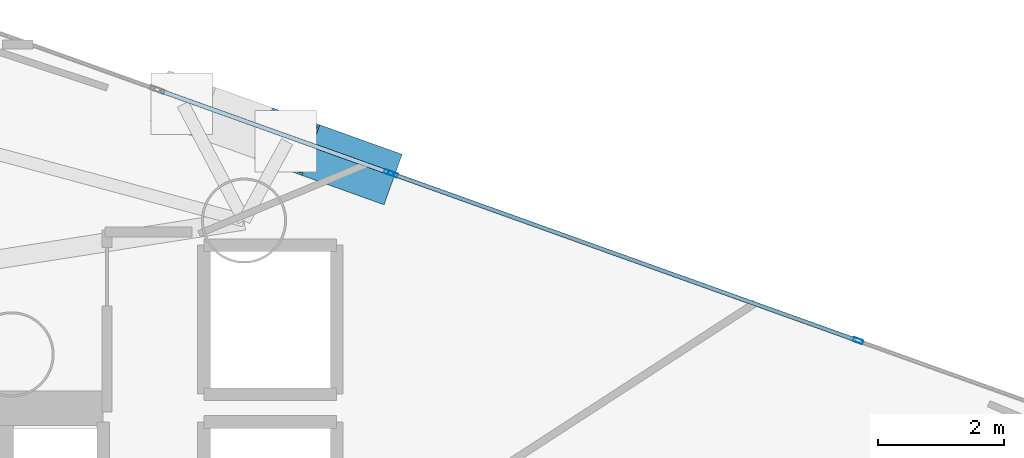
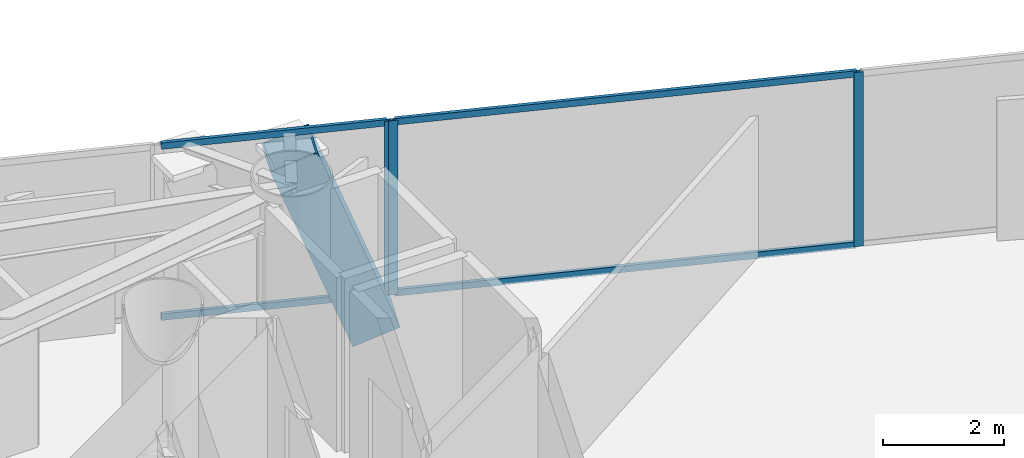
# One storey, part 14 of 21: 8 members, 2 elements without a shape of their own.
"""IFC4 building model written with IfcOpenShell, lengths in metres."""

from ifc_helpers import new_model, si_unit, direction, frame, origin, origin_2d, place, context, subcontext, project, spatial, hollow_rectangle, extrude, material, layer, layer_set, material_profile, profile_set, type_object, element, aggregate, save


model = new_model("IFC4")

# Units and contexts
model_context = context("Model", 3, precision=1e-05, world=origin(), true_north=direction((0.0, 1.0)))
body_context = subcontext(model_context, "Body", "Model", "MODEL_VIEW")
ifc_project = project(units=[si_unit("LENGTHUNIT", "METRE"), si_unit("AREAUNIT", "SQUARE_METRE"), si_unit("VOLUMEUNIT", "CUBIC_METRE"), si_unit("PLANEANGLEUNIT", "RADIAN"), si_unit("MASSUNIT", "GRAM", prefix="KILO")], contexts=[model_context])

# Site, building, storey
site_placement = place(None, origin())
site = spatial("IfcSite", under=ifc_project, at=site_placement, CompositionType="ELEMENT")
building_placement = place(site_placement, origin())
building = spatial("IfcBuilding", under=site, at=building_placement, Name="Qianvela Tower", CompositionType="ELEMENT")
storey_placement = place(building_placement, frame((0.0, 0.0, 166.10009765625)))
storey = spatial("IfcBuildingStorey", under=building, at=storey_placement, Name="L42", CompositionType="ELEMENT", Elevation=166.10009765625)

# Curtain wall, members
ifc_material_1 = material(Name="Anodised Architectural Aluminium and Insulated Spandrel Panel", Category="aluminium")
ifc_layer_1 = layer(ifc_material_1, 0.179931640625)
ifc_layer_set_1 = layer_set([ifc_layer_1], Name="Anodised Architectural Aluminium and Insulated Spandrel Panel")
curtain_wall_type_1 = type_object("IfcCurtainWallType", Name="CW-BRACEBAY", PredefinedType="USERDEFINED", material=ifc_layer_set_1)
curtain_wall_1_placement = place(storey_placement, origin())
curtain_wall_1 = element("IfcCurtainWall", 1, at=curtain_wall_1_placement, inside=storey, type_object=curtain_wall_type_1, Name="L42 CW-BRACEBAY Curtain Wall 02B", ObjectType="CURTAIN_WALL_SYSTEM", PredefinedType="USERDEFINED")
ifc_material_2 = material(Name="Anodised Architectural Aluminium 6063-T6", Category="aluminium")
ifc_material_profile_1 = material_profile(ifc_material_2, hollow_rectangle(XDim=0.06494140625, YDim=0.159912109375, WallThickness=0.0048828125, at=origin_2d()), Name="ALU-MULL-65x160")
ifc_profile_set_1 = profile_set([ifc_material_profile_1], Name="Anodised Architectural Aluminium 6063-T6")
member_type_1 = type_object("IfcMemberType", Name="CW-BRACEBAY-MULL", PredefinedType="MULLION", material=ifc_profile_set_1)
member_1_placement = place(storey_placement, frame((44.3798828125, 36.42822265625, 0.0), z_axis=(0.0, 0.0, 1.0), x_axis=(-0.337301756713, -0.941396582168, 0.0)))
member_1 = element("IfcMember", 2, at=member_1_placement, type_object=member_type_1, Name="CW-9 mullion 1", PredefinedType="MULLION", context=body_context, shape_type="SweptSolid", body=[
    extrude(hollow_rectangle(XDim=0.06494140625, YDim=0.159912109375, WallThickness=0.0048828125, at=origin_2d()), origin(), (0.0, 0.0, 1.0), 3.52001953125),
])
ifc_material_3 = material(Name="Anodised Architectural Aluminium 6063-T6", Category="aluminium")
ifc_material_profile_2 = material_profile(ifc_material_3, hollow_rectangle(XDim=0.06494140625, YDim=0.1298828125, WallThickness=0.00439453125, at=origin_2d()), Name="ALU-TRAN-65x130")
ifc_profile_set_2 = profile_set([ifc_material_profile_2], Name="Anodised Architectural Aluminium 6063-T6")
member_type_2 = type_object("IfcMemberType", Name="CW-BRACEBAY-TRAN", PredefinedType="USERDEFINED", material=ifc_profile_set_2)
member_2_placement = place(storey_placement, frame((44.349365234375, 36.439208984375, 0.032470703125), z_axis=(-0.94139984535, 0.337292649156, 0.0), x_axis=(-0.337292649156, -0.94139984535, 0.0)))
member_2 = element("IfcMember", 3, at=member_2_placement, type_object=member_type_2, Name="CW-9 transom 1.1", ObjectType="TRANSOM", PredefinedType="USERDEFINED", context=body_context, shape_type="SweptSolid", body=[
    extrude(hollow_rectangle(XDim=0.06494140625, YDim=0.1298828125, WallThickness=0.00439453125, at=origin_2d()), origin(), (0.0, 0.0, 1.0), 3.800048828125),
])
member_3_placement = place(storey_placement, frame((44.349365234375, 36.439208984375, 3.4873046875), z_axis=(-0.94139984535, 0.337292649156, 0.0), x_axis=(-0.337292649156, -0.94139984535, 0.0)))
member_3 = element("IfcMember", 4, at=member_3_placement, type_object=member_type_2, Name="CW-9 transom 1.2", ObjectType="TRANSOM", PredefinedType="USERDEFINED", context=body_context, shape_type="SweptSolid", body=[
    extrude(hollow_rectangle(XDim=0.06494140625, YDim=0.1298828125, WallThickness=0.00439453125, at=origin_2d()), origin(), (0.0, 0.0, 1.0), 3.800048828125),
])
aggregate(curtain_wall_1, [member_1, member_2, member_3])

ifc_material_4 = material(Name="Anodised Architectural Aluminium and Low-E Glass", Category="aluminium")
ifc_layer_2 = layer(ifc_material_4, 0.169921875)
ifc_layer_set_2 = layer_set([ifc_layer_2], Name="Anodised Architectural Aluminium and Low-E Glass")
curtain_wall_type_2 = type_object("IfcCurtainWallType", Name="CW-COLIV-Z34", PredefinedType="USERDEFINED", material=ifc_layer_set_2)
curtain_wall_2_placement = place(storey_placement, origin())
curtain_wall_2 = element("IfcCurtainWall", 5, at=curtain_wall_2_placement, inside=storey, type_object=curtain_wall_type_2, Name="L42 CW-COLIV-Z34 Curtain Wall 02A", ObjectType="CURTAIN_WALL_SYSTEM", PredefinedType="USERDEFINED")
ifc_material_5 = material(Name="Anodised Architectural Aluminium 6063-T6", Category="aluminium")
ifc_material_profile_3 = material_profile(ifc_material_5, hollow_rectangle(XDim=0.06494140625, YDim=0.159912109375, WallThickness=0.0048828125, at=origin_2d()), Name="ALU-MULL-65x160")
ifc_profile_set_3 = profile_set([ifc_material_profile_3], Name="Anodised Architectural Aluminium 6063-T6")
member_type_3 = type_object("IfcMemberType", Name="CW-COLIV-Z34-MULL", PredefinedType="MULLION", material=ifc_profile_set_3)
member_4_placement = place(storey_placement, frame((51.81005859375, 33.76611328125, 0.0), z_axis=(0.0, 0.0, 1.0), x_axis=(-0.337309414237, -0.941393838448, 0.0)))
member_4 = element("IfcMember", 6, at=member_4_placement, type_object=member_type_3, Name="CW-4 mullion 2", PredefinedType="MULLION", context=body_context, shape_type="SweptSolid", body=[
    extrude(hollow_rectangle(XDim=0.06494140625, YDim=0.159912109375, WallThickness=0.0048828125, at=origin_2d()), origin(), (0.0, 0.0, 1.0), 3.52001953125),
])
member_5_placement = place(storey_placement, frame((44.441162109375, 36.40625, 0.0), z_axis=(0.0, 0.0, 1.0), x_axis=(-0.337309414237, -0.941393838448, 0.0)))
member_5 = element("IfcMember", 7, at=member_5_placement, type_object=member_type_3, Name="CW-4 mullion 3", PredefinedType="MULLION", context=body_context, shape_type="SweptSolid", body=[
    extrude(hollow_rectangle(XDim=0.06494140625, YDim=0.159912109375, WallThickness=0.0048828125, at=origin_2d()), origin(), (0.0, 0.0, 1.0), 3.52001953125),
])
ifc_material_6 = material(Name="Anodised Architectural Aluminium 6063-T6", Category="aluminium")
ifc_material_profile_4 = material_profile(ifc_material_6, hollow_rectangle(XDim=0.06494140625, YDim=0.1298828125, WallThickness=0.00439453125, at=origin_2d()), Name="ALU-TRAN-65x130")
ifc_profile_set_4 = profile_set([ifc_material_profile_4], Name="Anodised Architectural Aluminium 6063-T6")
member_type_4 = type_object("IfcMemberType", Name="CW-COLIV-Z34-TRAN", PredefinedType="USERDEFINED", material=ifc_profile_set_4)
member_6_placement = place(storey_placement, frame((51.779296875, 33.777099609375, 0.032470703125), z_axis=(-0.941402726885, 0.337284606546, 0.0), x_axis=(-0.337284606546, -0.941402726885, 0.0)))
member_6 = element("IfcMember", 8, at=member_6_placement, type_object=member_type_4, Name="CW-4 transom 2.1", ObjectType="TRANSOM", PredefinedType="USERDEFINED", context=body_context, shape_type="SweptSolid", body=[
    extrude(hollow_rectangle(XDim=0.06494140625, YDim=0.1298828125, WallThickness=0.00439453125, at=origin_2d()), origin(), (0.0, 0.0, 1.0), 7.762451171875),
])
member_7_placement = place(storey_placement, frame((51.779296875, 33.777099609375, 3.4873046875), z_axis=(-0.941402726885, 0.337284606546, 0.0), x_axis=(-0.337284606546, -0.941402726885, 0.0)))
member_7 = element("IfcMember", 9, at=member_7_placement, type_object=member_type_4, Name="CW-4 transom 2.2", ObjectType="TRANSOM", PredefinedType="USERDEFINED", context=body_context, shape_type="SweptSolid", body=[
    extrude(hollow_rectangle(XDim=0.06494140625, YDim=0.1298828125, WallThickness=0.00439453125, at=origin_2d()), origin(), (0.0, 0.0, 1.0), 7.762451171875),
])
aggregate(curtain_wall_2, [member_4, member_5, member_6, member_7])

# Member
ifc_material_7 = material(Name="Steel Q420GJC", Category="steel")
ifc_material_profile_5 = material_profile(ifc_material_7, hollow_rectangle(XDim=0.85009765625, YDim=0.85009765625, WallThickness=0.031982421875, at=origin_2d()), Name="MBOX-850x850x32")
ifc_profile_set_5 = profile_set([ifc_material_profile_5], Name="Steel Q420GJC")
member_type_5 = type_object("IfcMemberType", Name="MBR-MBRACE-850", PredefinedType="BRACE", material=ifc_profile_set_5)
member_8_placement = place(storey_placement, frame((44.0703125, 36.4541015625, -0.482177734375), z_axis=(-0.330197600809, 0.118324926188, 0.9364660999), x_axis=(-0.337340539416, -0.941382685451, 0.0)))
element("IfcMember", 10, at=member_8_placement, inside=storey, type_object=member_type_5, Name="L42 Tier 7 Exterior Mega-Brace F1A", PredefinedType="BRACE", context=body_context, shape_type="SweptSolid", body=[
    extrude(hollow_rectangle(XDim=0.85009765625, YDim=0.85009765625, WallThickness=0.031982421875, at=origin_2d()), origin(), (0.0, 0.0, 1.0), 3.951171875),
])

save(model, "model.ifc")
